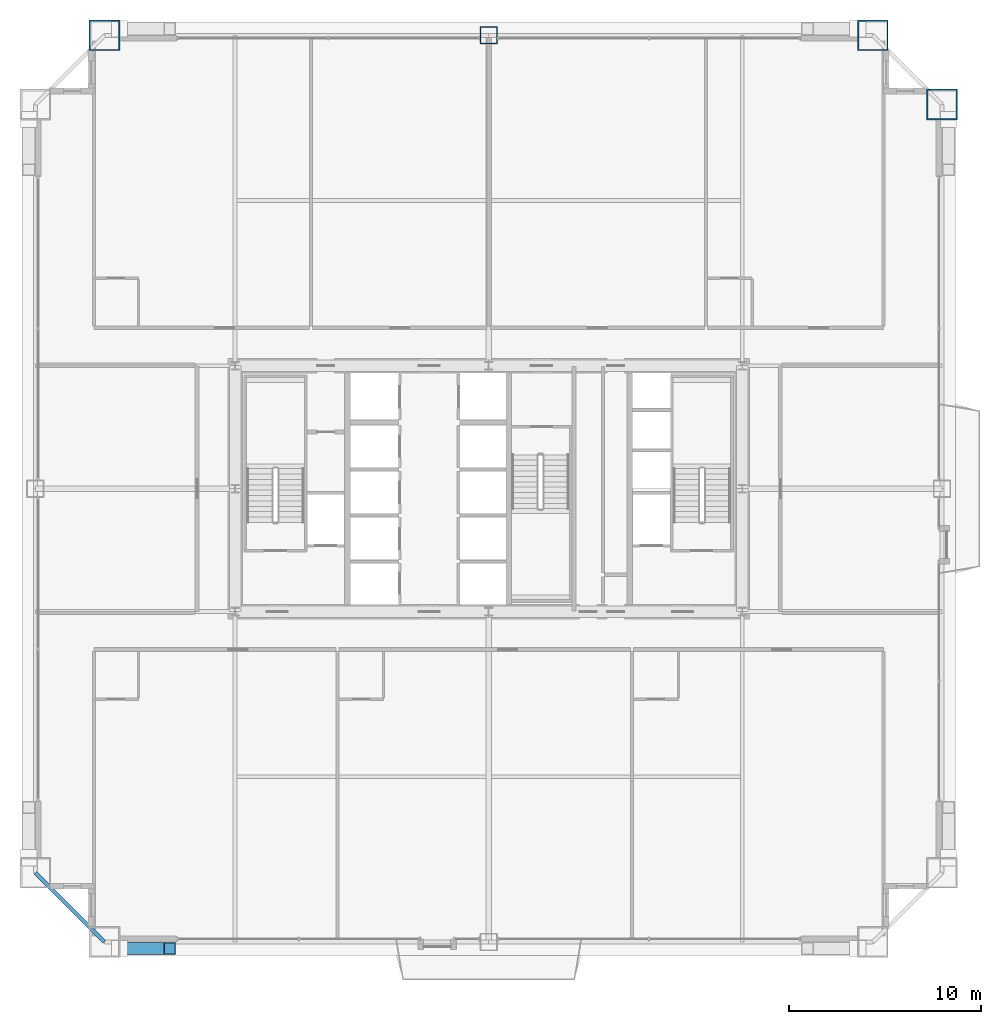
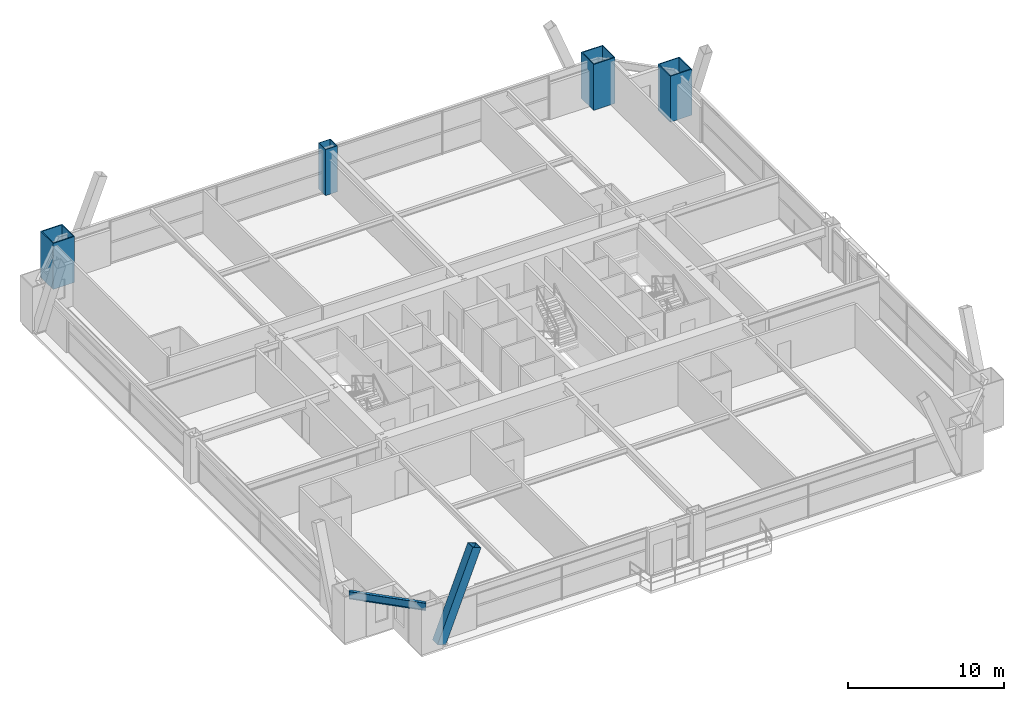
# One storey, part 2 of 43: 4 columns, 1 beam, 1 member.
"""IFC4 building model written with IfcOpenShell, lengths in metres."""

import ifcopenshell
import ifcopenshell.guid

model = None  # the IFC model being written
_history = None  # IfcOwnerHistory: only IFC2X3 demands one
_inside = {}  # id of a spatial element -> (the spatial element, [elements in it])
_under = {}  # id of a project, library or spatial element -> (it, [spatial elements below it])
_declared = {}  # id of a project -> (the project, [libraries it declares])
_typed = {}  # id of a type object -> (the type object, [elements of that type])
_made_of = {}  # id of a material, layer set ... -> (it, [elements and type objects made of it])


def new_model(schema):
    """Start an empty IFC model of exactly this schema.

    Asked for "IFC4X3", IfcOpenShell would pick the latest addendum, in which some entities
    have other attributes; the version numbers below select the first issue.
    IFC2X3 requires an IfcOwnerHistory on every rooted entity: one is made here for all.
    """
    global model, _history
    if schema == "IFC4X3":
        model = ifcopenshell.file(schema_version=(4, 3, 0, 0))
    else:
        model = ifcopenshell.file(schema=schema)
    _inside.clear()
    _under.clear()
    _declared.clear()
    _typed.clear()
    _made_of.clear()
    _history = None
    if model.schema == "IFC2X3":
        org = make("IfcOrganization", Name="unknown")
        user = make(
            "IfcPersonAndOrganization",
            ThePerson=make("IfcPerson", FamilyName="unknown"),
            TheOrganization=org,
        )
        app = make(
            "IfcApplication",
            ApplicationDeveloper=org,
            Version="unknown",
            ApplicationFullName="unknown",
            ApplicationIdentifier="unknown",
        )
        _history = make(
            "IfcOwnerHistory",
            OwningUser=user,
            OwningApplication=app,
            ChangeAction="ADDED",
            CreationDate=0,
        )
    return model


def make(cls, **values):
    """One entity of the class cls with the attributes given. An attribute that is None is left unset."""
    return model.create_entity(
        cls, **{name: value for name, value in values.items() if value is not None}
    )


def rooted(cls, **values):
    """An entity with a GlobalId (a new one), such as an element, a storey or a relation."""
    return make(cls, GlobalId=ifcopenshell.guid.new(), OwnerHistory=_history, **values)


def si_unit(unit_type, name, prefix=None):
    """IfcSIUnit, for example si_unit("LENGTHUNIT", "METRE", prefix="MILLI")."""
    return make("IfcSIUnit", UnitType=unit_type, Prefix=prefix, Name=name)


def assignment(units):
    """IfcUnitAssignment: the units of a project."""
    return None if units is None else make("IfcUnitAssignment", Units=units)


def point(xyz):
    """IfcCartesianPoint."""
    return None if xyz is None else make("IfcCartesianPoint", Coordinates=xyz)


def direction(xyz):
    """IfcDirection."""
    return None if xyz is None else make("IfcDirection", DirectionRatios=xyz)


def frame(location, z_axis=None, x_axis=None):
    """IfcAxis2Placement3D, a coordinate frame: its origin and axes. An axis left out is left unset."""
    return make(
        "IfcAxis2Placement3D",
        Location=point(location),
        Axis=direction(z_axis),
        RefDirection=direction(x_axis),
    )


def frame_2d(location, x_axis=None):
    """IfcAxis2Placement2D, a coordinate frame in the plane: its origin and x axis."""
    return make(
        "IfcAxis2Placement2D", Location=point(location), RefDirection=direction(x_axis)
    )


def origin():
    """The frame at (0, 0, 0) with its axes left unset."""
    return frame((0.0, 0.0, 0.0))


def origin_2d():
    """The frame at (0, 0) in the plane with its x axis left unset."""
    return frame_2d((0.0, 0.0))


def place(relative_to, where):
    """IfcLocalPlacement: puts the frame where relative to a parent placement (None: the world)."""
    return make(
        "IfcLocalPlacement", PlacementRelTo=relative_to, RelativePlacement=where
    )


def context(
    kind, dimensions, precision=None, world=None, true_north=None, identifier=None
):
    """IfcGeometricRepresentationContext, for example the 3D "Model" context."""
    return make(
        "IfcGeometricRepresentationContext",
        ContextIdentifier=identifier,
        ContextType=kind,
        CoordinateSpaceDimension=dimensions,
        Precision=precision,
        WorldCoordinateSystem=world,
        TrueNorth=true_north,
    )


def subcontext(parent, identifier, kind, view, scale=None):
    """IfcGeometricRepresentationSubContext, for example "Body" below "Model"."""
    return make(
        "IfcGeometricRepresentationSubContext",
        ContextIdentifier=identifier,
        ContextType=kind,
        ParentContext=parent,
        TargetScale=scale,
        TargetView=view,
    )


def project(units=None, contexts=None):
    """IfcProject with its units and contexts."""
    return rooted(
        "IfcProject",
        Name="project",
        RepresentationContexts=contexts,
        UnitsInContext=assignment(units),
    )


def spatial(cls, under=None, at=None, **own):
    """A site, building, storey or space (cls), placed at a placement, below another one or the project."""
    s = rooted(cls, ObjectPlacement=at, **own)
    if under is not None:
        _under.setdefault(under.id(), (under, []))[1].append(s)
    return s


def profile(cls, at=None, kind="AREA", **sizes):
    """A parametric profile (cls). Its sizes go by their IFC names, for example OverallWidth=200.0."""
    return make(cls, ProfileType=kind, Position=at, **sizes)


def hollow_rectangle(**sizes):
    """IfcRectangleHollowProfileDef."""
    return profile("IfcRectangleHollowProfileDef", **sizes)


def i_section(**sizes):
    """IfcIShapeProfileDef."""
    return profile("IfcIShapeProfileDef", **sizes)


def extrude(swept, where, along, depth):
    """IfcExtrudedAreaSolid: the profile swept, set in the frame where, extruded along a direction by depth."""
    return make(
        "IfcExtrudedAreaSolid",
        SweptArea=swept,
        Position=where,
        ExtrudedDirection=direction(along),
        Depth=depth,
    )


def shape(context_of_items, identifier, shape_type, items):
    """IfcShapeRepresentation: the items that make up one representation, for example the "Body"."""
    return make(
        "IfcShapeRepresentation",
        ContextOfItems=context_of_items,
        RepresentationIdentifier=identifier,
        RepresentationType=shape_type,
        Items=items,
    )


def source(mapping_origin, context_of_items, identifier, shape_type, items):
    """IfcRepresentationMap: a shape defined once, which mapped items show again and again."""
    return make(
        "IfcRepresentationMap",
        MappingOrigin=mapping_origin,
        MappedRepresentation=shape(context_of_items, identifier, shape_type, items),
    )


def transform(
    local_origin,
    x_axis=None,
    y_axis=None,
    z_axis=None,
    scale=None,
    scale2=None,
    scale3=None,
    uniform=True,
):
    """IfcCartesianTransformationOperator3D, or its non-uniform kind. x_axis, y_axis, z_axis: its Axis1, 2, 3."""
    if uniform:
        return make(
            "IfcCartesianTransformationOperator3D",
            Axis1=direction(x_axis),
            Axis2=direction(y_axis),
            LocalOrigin=point(local_origin),
            Scale=scale,
            Axis3=direction(z_axis),
        )
    return make(
        "IfcCartesianTransformationOperator3DnonUniform",
        Axis1=direction(x_axis),
        Axis2=direction(y_axis),
        LocalOrigin=point(local_origin),
        Scale=scale,
        Axis3=direction(z_axis),
        Scale2=scale2,
        Scale3=scale3,
    )


def mapped(mapping_source, mapping_target):
    """IfcMappedItem: shows the shape of a source again, moved by a transform."""
    return make(
        "IfcMappedItem", MappingSource=mapping_source, MappingTarget=mapping_target
    )


def material(Name=None, Category=None):
    """IfcMaterial."""
    return make("IfcMaterial", Name=Name, Category=Category)


def material_profile(
    of_material, cross_section, Name=None, Category=None, Priority=None
):
    """IfcMaterialProfile: a cross section and its material."""
    return make(
        "IfcMaterialProfile",
        Name=Name,
        Material=of_material,
        Profile=cross_section,
        Priority=Priority,
        Category=Category,
    )


def profile_set(profiles, Name=None, composite=None):
    """IfcMaterialProfileSet."""
    return make(
        "IfcMaterialProfileSet",
        Name=Name,
        MaterialProfiles=profiles,
        CompositeProfile=composite,
    )


def made_of(thing, what):
    """Note that an element or type object is made of a material, layer set ...; save() writes the relation."""
    if what is not None:
        _made_of.setdefault(what.id(), (what, []))[1].append(thing)
    return thing


def type_object(cls, material=None, **own):
    """A type object (cls), such as IfcWallType, which elements share."""
    return made_of(rooted(cls, **own), material)


def element(
    cls,
    number,
    at=None,
    inside=None,
    cuts=None,
    type_object=None,
    material=None,
    context=None,
    identifier="Body",
    shape_type=None,
    held_by="IfcProductDefinitionShape",
    body=None,
    shapes=None,
    **own,
):
    """One element of the class cls, such as IfcWall. Its Tag is "e" and its number.

    at: its placement. inside: the storey or other place that contains it. cuts: it is an
    opening in that element (IfcRelVoidsElement). A single representation is given by context,
    identifier, shape_type and body (its items); several are given by shapes. held_by: the class
    of the entity that holds the representations. save() writes the other relations.
    """
    e = rooted(cls, Tag="e%d" % number, ObjectPlacement=at, **own)
    if body is not None:
        shapes = [shape(context, identifier, shape_type, body)]
    if shapes is not None:
        e.Representation = make(held_by, Representations=shapes)
    if inside is not None:
        _inside.setdefault(inside.id(), (inside, []))[1].append(e)
    if cuts is not None:
        rooted(
            "IfcRelVoidsElement", RelatingBuildingElement=cuts, RelatedOpeningElement=e
        )
    if type_object is not None:
        _typed.setdefault(type_object.id(), (type_object, []))[1].append(e)
    return made_of(e, material)


def aggregate(whole, parts):
    """IfcRelAggregates: a whole, such as a stair, and the parts it consists of."""
    return rooted("IfcRelAggregates", RelatingObject=whole, RelatedObjects=parts)


def save(model, path):
    """Write the relations noted so far, then the file.

    IfcRelAggregates (storeys below a building ...), IfcRelContainedInSpatialStructure (elements
    in a storey), IfcRelDefinesByType, IfcRelAssociatesMaterial and IfcRelDeclares: one each for
    every whole, place, type object, material and project.
    """
    for whole, parts in _under.values():
        aggregate(whole, parts)
    for where, things in _inside.values():
        rooted(
            "IfcRelContainedInSpatialStructure",
            RelatedElements=things,
            RelatingStructure=where,
        )
    for kind, things in _typed.values():
        rooted("IfcRelDefinesByType", RelatedObjects=things, RelatingType=kind)
    for what, things in _made_of.values():
        rooted("IfcRelAssociatesMaterial", RelatedObjects=things, RelatingMaterial=what)
    for by, libraries in _declared.values():
        rooted("IfcRelDeclares", RelatingContext=by, RelatedDefinitions=libraries)
    model.write(path)


model = new_model("IFC4")

# Units and contexts
model_context = context("Model", 3, precision=1e-05, world=origin(), true_north=direction((0.0, 1.0)))
body_context = subcontext(model_context, "Body", "Model", "MODEL_VIEW")
ifc_project = project(units=[si_unit("LENGTHUNIT", "METRE"), si_unit("AREAUNIT", "SQUARE_METRE"), si_unit("VOLUMEUNIT", "CUBIC_METRE"), si_unit("PLANEANGLEUNIT", "RADIAN"), si_unit("MASSUNIT", "GRAM", prefix="KILO"), si_unit("THERMODYNAMICTEMPERATUREUNIT", "KELVIN"), si_unit("POWERUNIT", "WATT")], contexts=[model_context])

# Site, building, storey
site_placement = place(None, origin())
site = spatial("IfcSite", under=ifc_project, at=site_placement, CompositionType="ELEMENT")
building_placement = place(site_placement, origin())
building = spatial("IfcBuilding", under=site, at=building_placement, Name="Yuzanri Waterfront Tower", CompositionType="ELEMENT")
storey_placement = place(building_placement, frame((0.0, 0.0, 101.0)))
storey = spatial("IfcBuildingStorey", under=building, at=storey_placement, Name="L26", CompositionType="ELEMENT", Elevation=101.0)

# Columns
ifc_material_1 = material(Name="Steel Q390GJC", Category="steel")
ifc_material_profile_1 = material_profile(ifc_material_1, hollow_rectangle(XDim=0.89990234375, YDim=0.89990234375, WallThickness=0.0419921875, at=origin_2d()), Name="RHS 900x900x42")
ifc_profile_set_1 = profile_set([ifc_material_profile_1], Name="Steel Q390GJC")
column_type_1 = type_object("IfcColumnType", Name="Frame Column Q390GJC RHS 900x900x42", PredefinedType="COLUMN", material=ifc_profile_set_1)
shared_shape_1 = source(origin(), body_context, "Body", "SweptSolid", [
    extrude(hollow_rectangle(XDim=0.89990234375, YDim=0.89990234375, WallThickness=0.0419921875, at=origin_2d()), origin(), (0.0, 0.0, 1.0), 3.60009765625),
])
column_placement = place(storey_placement, frame((37.0, 49.39990234375, 0.0), z_axis=(0.0, 0.0, 1.0), x_axis=(1.0, 0.0, 0.0)))
element("IfcColumn", 1, at=column_placement, inside=storey, type_object=column_type_1, Name="L26 Perimeter Frame Column N2", PredefinedType="COLUMN", context=body_context, shape_type="MappedRepresentation", body=[
    mapped(shared_shape_1, transform((0.0, 0.0, 0.0), scale=1.0)),
])
ifc_material_2 = material(Name="Steel Q420GJC", Category="steel")
ifc_material_profile_2 = material_profile(ifc_material_2, hollow_rectangle(XDim=1.60009765625, YDim=1.60009765625, WallThickness=0.070068359375, at=origin_2d()), Name="RHS 1600x1600x70")
ifc_profile_set_2 = profile_set([ifc_material_profile_2], Name="Steel Q420GJC")
column_type_2 = type_object("IfcColumnType", Name="Mega Column Q420GJC RHS 1600x1600x70", PredefinedType="COLUMN", material=ifc_profile_set_2)
shared_shape_2 = source(origin(), body_context, "Body", "SweptSolid", [
    extrude(hollow_rectangle(XDim=1.60009765625, YDim=1.60009765625, WallThickness=0.070068359375, at=origin_2d()), origin(), (0.0, 0.0, 1.0), 3.60009765625),
])
for number, where, z_axis, x_axis, name in (
    (2, (17.0, 49.39990234375, 0.0), (0.0, 0.0, 1.0), (1.0, 0.0, 0.0), "L26 Perimeter Mega Column N1"),
    (3, (57.0, 49.39990234375, 0.0), (0.0, 0.0, 1.0), (1.0, 0.0, 0.0), "L26 Perimeter Mega Column N3"),
    (4, (60.60009765625, 45.800048828125, 0.0), (0.0, 0.0, 1.0), (1.0, 0.0, 0.0), "L26 Perimeter Mega Column E3"),
):
    element("IfcColumn", number, at=place(storey_placement, frame(where, z_axis=z_axis, x_axis=x_axis)), inside=storey, type_object=column_type_2, Name=name, PredefinedType="COLUMN", context=body_context, shape_type="MappedRepresentation", body=[
        mapped(shared_shape_2, transform((0.0, 0.0, 0.0), scale=1.0)),
    ])

# Beam
ifc_material_3 = material(Name="Steel Q355B", Category="steel")
ifc_material_profile_3 = material_profile(ifc_material_3, i_section(OverallWidth=0.199951171875, OverallDepth=0.60009765625, WebThickness=0.010986328125, FlangeThickness=0.01708984375, at=origin_2d()), Name="HN 600x200x11x17")
ifc_profile_set_3 = profile_set([ifc_material_profile_3], Name="Steel Q355B")
beam_type = type_object("IfcBeamType", Name="Perimeter Spandrel Q355B HN 600x200", PredefinedType="SPANDREL", material=ifc_profile_set_3)
shared_shape_3 = source(origin(), body_context, "Body", "SweptSolid", [
    extrude(i_section(OverallWidth=0.199951171875, OverallDepth=0.60009765625, WebThickness=0.010986328125, FlangeThickness=0.01708984375, at=origin_2d()), origin(), (0.0, 0.0, 1.0), 5.09130859375),
])
beam_placement = place(storey_placement, frame((13.39990234375, 5.800048828125, 3.080078125), z_axis=(0.707106781187, -0.707106781187, 0.0), x_axis=(0.707106781187, 0.707106781187, 0.0)))
element("IfcBeam", 5, at=beam_placement, inside=storey, type_object=beam_type, Name="L26 Perimeter Spandrel W1-S1", PredefinedType="SPANDREL", context=body_context, shape_type="MappedRepresentation", body=[
    mapped(shared_shape_3, transform((0.0, 0.0, 0.0), scale=1.0)),
])

# Member
ifc_material_4 = material(Name="Steel Q420GJC", Category="steel")
ifc_material_profile_4 = material_profile(ifc_material_4, hollow_rectangle(XDim=0.64990234375, YDim=0.64990234375, WallThickness=0.028076171875, at=origin_2d()), Name="RHS 650x650x28")
ifc_profile_set_4 = profile_set([ifc_material_profile_4], Name="Steel Q420GJC")
member_type = type_object("IfcMemberType", Name="Mega Brace Lower Q420GJC RHS 650x650x28", PredefinedType="BRACE", material=ifc_profile_set_4)
shared_shape_4 = source(origin(), body_context, "Body", "SweptSolid", [
    extrude(hollow_rectangle(XDim=0.64990234375, YDim=0.64990234375, WallThickness=0.028076171875, at=origin_2d()), origin(), (0.0, 0.0, 1.0), 7.19384765625),
])
member_placement = place(storey_placement, frame((17.780029296875, 1.860107421875, 0.179931640625), z_axis=(0.36417668996, 0.0, 0.9313298763), x_axis=(0.0, 1.0, 0.0)))
element("IfcMember", 6, at=member_placement, inside=storey, type_object=member_type, Name="L26-L27 Perimeter Mega-Brace S-L", PredefinedType="BRACE", context=body_context, shape_type="MappedRepresentation", body=[
    mapped(shared_shape_4, transform((0.0, 0.0, 0.0), scale=1.0)),
])

save(model, "model.ifc")
